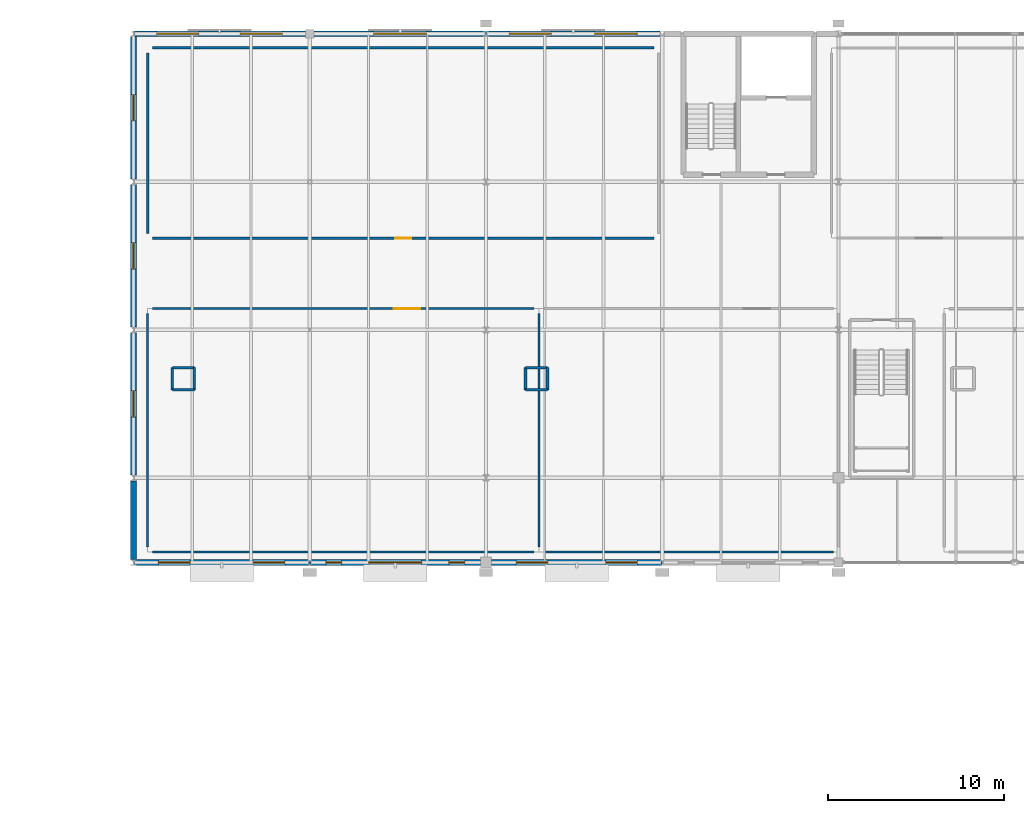
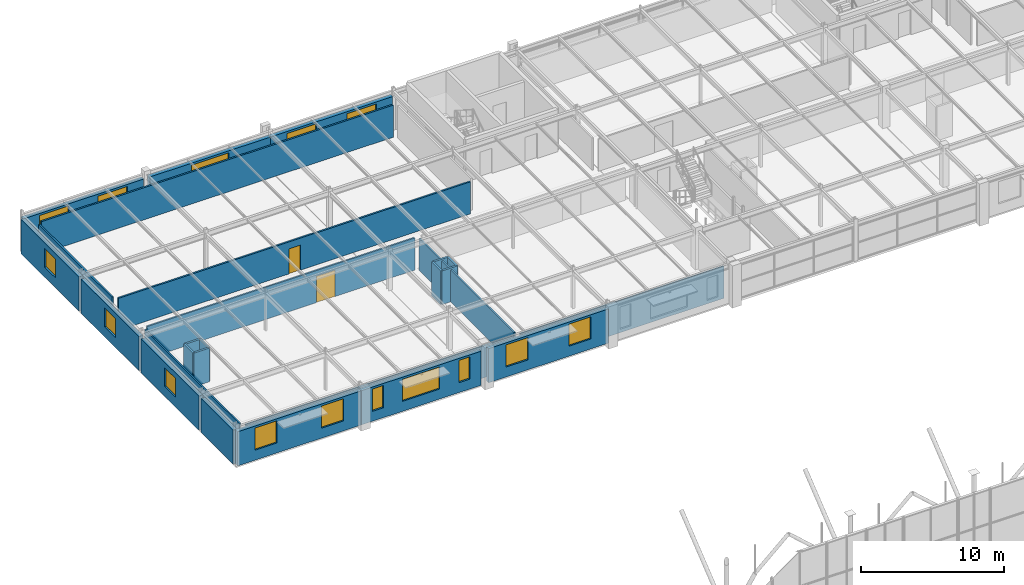
# One storey, part 99 of 109: 26 walls, 15 windows, 2 doors, 17 openings.
"""IFC4 building model written with IfcOpenShell, lengths in metres."""

from ifc_helpers import new_model, si_unit, derived_unit, direction, frame, frame_2d, origin, place, context, subcontext, project, spatial, rectangle, extrude, material, layer, layer_set, type_object, element, fill, save


model = new_model("IFC4")

# Units and contexts
model_context = context("Model", 3, precision=1e-05, world=origin(), true_north=direction((0.0, 1.0)))
body_context = subcontext(model_context, "Body", "Model", "MODEL_VIEW")
ifc_project = project(units=[si_unit("LENGTHUNIT", "METRE"), si_unit("AREAUNIT", "SQUARE_METRE"), si_unit("VOLUMEUNIT", "CUBIC_METRE"), si_unit("PLANEANGLEUNIT", "RADIAN"), si_unit("MASSUNIT", "GRAM", prefix="KILO"), derived_unit("THERMALTRANSMITTANCEUNIT", [(si_unit("POWERUNIT", "WATT"), 1), (si_unit("LENGTHUNIT", "METRE"), -2), (si_unit("THERMODYNAMICTEMPERATUREUNIT", "KELVIN"), -1)])], contexts=[model_context])

# Site, building, storey
site_placement = place(None, origin())
site = spatial("IfcSite", under=ifc_project, at=site_placement, CompositionType="ELEMENT")
building_placement = place(site_placement, origin())
building = spatial("IfcBuilding", under=site, at=building_placement, Name="Cinnabar Yard Market Hall", CompositionType="ELEMENT")
storey_placement = place(building_placement, frame((0.0, 0.0, 8.39990234375)))
storey = spatial("IfcBuildingStorey", under=building, at=storey_placement, Name="L02", CompositionType="ELEMENT", Elevation=8.39990234375)

# Walls
ifc_material_1 = material(Name="Acoustic steel-stud plasterboard", Category="steel")
ifc_layer_1 = layer(ifc_material_1, 0.1201171875)
ifc_layer_set_1 = layer_set([ifc_layer_1], Name="Acoustic steel-stud plasterboard")
wall_type_1 = type_object("IfcWallType", Name="WL-PT120", PredefinedType="PARTITIONING", material=ifc_layer_set_1)
wall_1_placement = place(storey_placement, frame((67.080078125, 108.60009765625, 0.0), z_axis=(0.0, 0.0, 1.0), x_axis=(1.0, 0.0, 0.0)))
element("IfcWall", 1, at=wall_1_placement, inside=storey, type_object=wall_type_1, Name="Partition Cooking School Teaching Kitchen 201 south", PredefinedType="PARTITIONING", context=body_context, shape_type="SweptSolid", body=[
    extrude(rectangle(XDim=21.639892578125, YDim=0.1201171875, at=frame_2d((10.81982421875, 0.0), x_axis=(1.0, 0.0))), origin(), (0.0, 0.0, 1.0), 2.739990234375),
])
wall_2_placement = place(storey_placement, frame((89.0, 108.8798828125, 0.0), z_axis=(0.0, 0.0, 1.0), x_axis=(0.0, 1.0, 0.0)))
element("IfcWall", 2, at=wall_2_placement, inside=storey, type_object=wall_type_1, Name="Partition Cooking School Teaching Kitchen 201 east", PredefinedType="PARTITIONING", context=body_context, shape_type="SweptSolid", body=[
    extrude(rectangle(XDim=13.240234375, YDim=0.1201171875, at=frame_2d((6.6201171875, 0.0), x_axis=(1.0, 0.0))), origin(), (0.0, 0.0, 1.0), 2.739990234375),
])

# Wall, opening, door
wall_3_placement = place(storey_placement, frame((88.719970703125, 122.39990234375, 0.0), z_axis=(0.0, 0.0, 1.0), x_axis=(-1.0, 0.0, 0.0)))
wall_3 = element("IfcWall", 3, at=wall_3_placement, inside=storey, type_object=wall_type_1, Name="Partition Cooking School Teaching Kitchen 201 north", PredefinedType="PARTITIONING", context=body_context, shape_type="SweptSolid", body=[
    extrude(rectangle(XDim=21.639892578125, YDim=0.1201171875, at=frame_2d((10.81982421875, 0.0), x_axis=(1.0, 0.0))), origin(), (0.0, 0.0, 1.0), 2.739990234375),
])
opening_1_placement = place(wall_3_placement, frame((6.44482421875, 0.0, 0.0)))
opening_1 = element("IfcOpeningElement", 4, at=opening_1_placement, cuts=wall_3, Name="Opening ID-169", PredefinedType="OPENING", context=body_context, shape_type="SweptSolid", body=[
    extrude(rectangle(XDim=1.5, YDim=2.25, at=frame_2d((0.75, 1.125), x_axis=(1.0, 0.0))), frame((0.0, 0.070068359375, 0.0), z_axis=(0.0, -1.0, 0.0), x_axis=(1.0, 0.0, 0.0)), (0.0, 0.0, 1.0), 0.14013671875),
])
ifc_material_2 = material(Name="Spotted gum timber and vision glass", Category="wood")
door_type_1 = type_object("IfcDoorType", Name="DR-D08", OperationType="NOTDEFINED", PredefinedType="DOOR", material=ifc_material_2)
door_1_placement = place(opening_1_placement, origin())
door_1 = element("IfcDoor", 5, at=door_1_placement, inside=storey, type_object=door_type_1, Name="Interior Door ID-169", OperationType="DOUBLE_SWING_RIGHT", OverallHeight=2.25, OverallWidth=1.5, PredefinedType="DOOR", context=body_context, shape_type="SweptSolid", body=[
    extrude(rectangle(XDim=1.5, YDim=2.25, at=frame_2d((0.75, 1.125), x_axis=(1.0, 0.0))), frame((0.0, 0.02490234375, 0.0), z_axis=(0.0, -1.0, 0.0), x_axis=(1.0, 0.0, 0.0)), (0.0, 0.0, 1.0), 0.050048828125),
])
fill(opening_1, door_1)

# Walls
wall_4_placement = place(storey_placement, frame((66.800048828125, 122.1201171875, 0.0), z_axis=(0.0, 0.0, 1.0), x_axis=(0.0, -1.0, 0.0)))
element("IfcWall", 6, at=wall_4_placement, inside=storey, type_object=wall_type_1, Name="Partition Cooking School Teaching Kitchen 201 west", PredefinedType="PARTITIONING", context=body_context, shape_type="SweptSolid", body=[
    extrude(rectangle(XDim=13.240234375, YDim=0.1201171875, at=frame_2d((6.6201171875, 0.0), x_axis=(1.0, 0.0))), origin(), (0.0, 0.0, 1.0), 2.739990234375),
])
wall_5_placement = place(storey_placement, frame((89.280029296875, 108.60009765625, 0.0), z_axis=(0.0, 0.0, 1.0), x_axis=(1.0, 0.0, 0.0)))
element("IfcWall", 7, at=wall_5_placement, inside=storey, type_object=wall_type_1, Name="Partition Cooking School Pastry and Baking Kitchen 202 south", PredefinedType="PARTITIONING", context=body_context, shape_type="SweptSolid", body=[
    extrude(rectangle(XDim=16.43994140625, YDim=0.1201171875, at=frame_2d((8.219970703125, 0.0), x_axis=(1.0, 0.0))), origin(), (0.0, 0.0, 1.0), 2.739990234375),
])

# Wall, opening, door
ifc_material_3 = material(Name="Moisture-resistant tiled service wall")
ifc_layer_2 = layer(ifc_material_3, 0.139892578125)
ifc_layer_set_2 = layer_set([ifc_layer_2], Name="Moisture-resistant tiled service wall")
wall_type_2 = type_object("IfcWallType", Name="WL-PT140", PredefinedType="PLUMBINGWALL", material=ifc_layer_set_2)
wall_6_placement = place(storey_placement, frame((67.080078125, 126.39990234375, 0.0), z_axis=(0.0, 0.0, 1.0), x_axis=(1.0, 0.0, 0.0)))
wall_6 = element("IfcWall", 8, at=wall_6_placement, inside=storey, type_object=wall_type_2, Name="Partition Teaching Scullery and Ingredient Larder south", PredefinedType="PLUMBINGWALL", context=body_context, shape_type="SweptSolid", body=[
    extrude(rectangle(XDim=28.43994140625, YDim=0.139892578125, at=frame_2d((14.219970703125, 0.0), x_axis=(1.0, 0.0))), origin(), (0.0, 0.0, 1.0), 2.739990234375),
])
opening_2_placement = place(wall_6_placement, frame((13.760009765625, 0.0, 0.0)))
opening_2 = element("IfcOpeningElement", 9, at=opening_2_placement, cuts=wall_6, Name="Opening ID-173", PredefinedType="OPENING", context=body_context, shape_type="SweptSolid", body=[
    extrude(rectangle(XDim=0.919921875, YDim=2.14990234375, at=frame_2d((0.4599609375, 1.074951171875), x_axis=(1.0, 0.0))), frame((0.0, 0.079833984375, 0.0), z_axis=(0.0, -1.0, 0.0), x_axis=(1.0, 0.0, 0.0)), (0.0, 0.0, 1.0), 0.159912109375),
])
ifc_material_4 = material(Name="Solid-core spotted gum timber", Category="wood")
door_type_2 = type_object("IfcDoorType", Name="DR-D07", OperationType="NOTDEFINED", PredefinedType="DOOR", material=ifc_material_4)
door_2_placement = place(opening_2_placement, origin())
door_2 = element("IfcDoor", 10, at=door_2_placement, inside=storey, type_object=door_type_2, Name="Interior Door ID-173", OperationType="SINGLE_SWING_RIGHT", OverallHeight=2.14990234375, OverallWidth=0.919921875, PredefinedType="DOOR", context=body_context, shape_type="SweptSolid", body=[
    extrude(rectangle(XDim=0.919921875, YDim=2.14990234375, at=frame_2d((0.4599609375, 1.074951171875), x_axis=(1.0, 0.0))), frame((0.0, 0.02490234375, 0.0), z_axis=(0.0, -1.0, 0.0), x_axis=(1.0, 0.0, 0.0)), (0.0, 0.0, 1.0), 0.050048828125),
])
fill(opening_2, door_2)

# Walls
wall_7_placement = place(storey_placement, frame((95.52001953125, 137.199951171875, 0.0), z_axis=(0.0, 0.0, 1.0), x_axis=(-1.0, 0.0, 0.0)))
element("IfcWall", 11, at=wall_7_placement, inside=storey, type_object=wall_type_2, Name="Partition Teaching Scullery and Ingredient Larder north", PredefinedType="PLUMBINGWALL", context=body_context, shape_type="SweptSolid", body=[
    extrude(rectangle(XDim=28.43994140625, YDim=0.139892578125, at=frame_2d((14.219970703125, 0.0), x_axis=(1.0, 0.0))), origin(), (0.0, 0.0, 1.0), 2.739990234375),
])
wall_8_placement = place(storey_placement, frame((66.800048828125, 136.919921875, 0.0), z_axis=(0.0, 0.0, 1.0), x_axis=(0.0, -1.0, 0.0)))
element("IfcWall", 12, at=wall_8_placement, inside=storey, type_object=wall_type_2, Name="Partition Teaching Scullery and Ingredient Larder west", PredefinedType="PLUMBINGWALL", context=body_context, shape_type="SweptSolid", body=[
    extrude(rectangle(XDim=10.239990234375, YDim=0.139892578125, at=frame_2d((5.1201171875, 0.0), x_axis=(1.0, 0.0))), origin(), (0.0, 0.0, 1.0), 2.739990234375),
])
ifc_material_5 = material(Name="Fire-rated steel-stud plasterboard", Category="steel")
ifc_layer_3 = layer(ifc_material_5, 0.14990234375)
ifc_layer_set_3 = layer_set([ifc_layer_3], Name="Fire-rated steel-stud plasterboard")
wall_type_3 = type_object("IfcWallType", Name="WL-PT150", PredefinedType="PARTITIONING", material=ifc_layer_set_3)
for number, where, z_axis, x_axis, name in (
    (13, (68.199951171875, 117.800048828125, 0.0), (0.0, 0.0, 1.0), (1.0, 0.0, 0.0), "Service Shaft Wall L02-1-1"),
    (14, (69.449951171875, 117.800048828125, 0.0), (0.0, 0.0, 1.0), (0.0, 1.0, 0.0), "Service Shaft Wall L02-1-2"),
    (15, (69.449951171875, 119.050048828125, 0.0), (0.0, 0.0, 1.0), (-1.0, 0.0, 0.0), "Service Shaft Wall L02-1-3"),
    (16, (68.199951171875, 119.050048828125, 0.0), (0.0, 0.0, 1.0), (0.0, -1.0, 0.0), "Service Shaft Wall L02-1-4"),
    (17, (88.239990234375, 117.800048828125, 0.0), (0.0, 0.0, 1.0), (1.0, 0.0, 0.0), "Service Shaft Wall L02-2-1"),
    (18, (89.489990234375, 117.800048828125, 0.0), (0.0, 0.0, 1.0), (0.0, 1.0, 0.0), "Service Shaft Wall L02-2-2"),
    (19, (89.489990234375, 119.050048828125, 0.0), (0.0, 0.0, 1.0), (-1.0, 0.0, 0.0), "Service Shaft Wall L02-2-3"),
    (20, (88.239990234375, 119.050048828125, 0.0), (0.0, 0.0, 1.0), (0.0, -1.0, 0.0), "Service Shaft Wall L02-2-4"),
):
    element("IfcWall", number, at=place(storey_placement, frame(where, z_axis=z_axis, x_axis=x_axis)), inside=storey, type_object=wall_type_3, Name=name, PredefinedType="PARTITIONING", context=body_context, shape_type="SweptSolid", body=[
        extrude(rectangle(XDim=1.25, YDim=0.14990234375, at=frame_2d((0.625, 0.0), x_axis=(1.0, 0.0))), origin(), (0.0, 0.0, 1.0), 2.880126953125),
    ])

# Wall, openings, windows
ifc_material_6 = material(Name="Cream limestone and Concrete 32 MPa", Category="masonry")
ifc_layer_4 = layer(ifc_material_6, 0.320068359375)
ifc_layer_set_4 = layer_set([ifc_layer_4], Name="Cream limestone and Concrete 32 MPa")
wall_type_4 = type_object("IfcWallType", Name="WL-W-EXT2", PredefinedType="SOLIDWALL", material=ifc_layer_set_4)
wall_9_placement = place(storey_placement, frame((66.01171875, 108.0, 0.0), z_axis=(0.0, 0.0, 1.0), x_axis=(1.0, 0.0, 0.0)))
wall_9 = element("IfcWall", 21, at=wall_9_placement, inside=storey, type_object=wall_type_4, Name="Wing South Wall L02 Bay 1", PredefinedType="SOLIDWALL", context=body_context, shape_type="SweptSolid", body=[
    extrude(rectangle(XDim=9.978271484375, YDim=0.320068359375, at=frame_2d((4.9892578125, 0.0), x_axis=(1.0, 0.0))), origin(), (0.0, 0.0, 1.0), 2.920166015625),
])
opening_3_placement = place(wall_9_placement, frame((1.39990234375, 0.0, 0.85009765625)))
opening_3 = element("IfcOpeningElement", 22, at=opening_3_placement, cuts=wall_9, Name="Opening W07", PredefinedType="OPENING", context=body_context, shape_type="SweptSolid", body=[
    extrude(rectangle(XDim=1.800048828125, YDim=1.89990234375, at=frame_2d((0.89990234375, 0.949951171875), x_axis=(1.0, 0.0))), frame((0.0, 0.169921875, 0.0), z_axis=(0.0, -1.0, 0.0), x_axis=(1.0, 0.0, 0.0)), (0.0, 0.0, 1.0), 0.340087890625),
])
opening_4_placement = place(wall_9_placement, frame((6.7783203125, 0.0, 0.85009765625)))
opening_4 = element("IfcOpeningElement", 23, at=opening_4_placement, cuts=wall_9, Name="Opening W07", PredefinedType="OPENING", context=body_context, shape_type="SweptSolid", body=[
    extrude(rectangle(XDim=1.800048828125, YDim=1.89990234375, at=frame_2d((0.89990234375, 0.949951171875), x_axis=(1.0, 0.0))), frame((0.0, 0.169921875, 0.0), z_axis=(0.0, -1.0, 0.0), x_axis=(1.0, 0.0, 0.0)), (0.0, 0.0, 1.0), 0.340087890625),
])
ifc_material_7 = material(Name="Low-E double glazing in bronze aluminium", Category="aluminium")
window_type_1 = type_object("IfcWindowType", Name="WN-W07", PartitioningType="SINGLE_PANEL", PredefinedType="WINDOW", material=ifc_material_7)
window_1_placement = place(opening_3_placement, origin())
window_1 = element("IfcWindow", 24, at=window_1_placement, inside=storey, type_object=window_type_1, Name="Window WN-V3S-L02-1A", OverallHeight=1.89990234375, OverallWidth=1.800048828125, PartitioningType="SINGLE_PANEL", PredefinedType="WINDOW", context=body_context, shape_type="SweptSolid", body=[
    extrude(rectangle(XDim=1.800048828125, YDim=1.89990234375, at=frame_2d((0.89990234375, 0.949951171875), x_axis=(1.0, 0.0))), frame((0.0, 0.030029296875, 0.0), z_axis=(0.0, -1.0, 0.0), x_axis=(1.0, 0.0, 0.0)), (0.0, 0.0, 1.0), 0.06005859375),
])
fill(opening_3, window_1)
window_2_placement = place(opening_4_placement, origin())
window_2 = element("IfcWindow", 25, at=window_2_placement, inside=storey, type_object=window_type_1, Name="Window WN-V3S-L02-1B", OverallHeight=1.89990234375, OverallWidth=1.800048828125, PartitioningType="SINGLE_PANEL", PredefinedType="WINDOW", context=body_context, shape_type="SweptSolid", body=[
    extrude(rectangle(XDim=1.800048828125, YDim=1.89990234375, at=frame_2d((0.89990234375, 0.949951171875), x_axis=(1.0, 0.0))), frame((0.0, 0.030029296875, 0.0), z_axis=(0.0, -1.0, 0.0), x_axis=(1.0, 0.0, 0.0)), (0.0, 0.0, 1.0), 0.06005859375),
])
fill(opening_4, window_2)

wall_10_placement = place(storey_placement, frame((75.74609375, 138.0, 0.0), z_axis=(0.0, 0.0, 1.0), x_axis=(-1.0, 0.0, 0.0)))
wall_10 = element("IfcWall", 26, at=wall_10_placement, inside=storey, type_object=wall_type_4, Name="Wing North Wall L02 Bay 1", PredefinedType="SOLIDWALL", context=body_context, shape_type="SweptSolid", body=[
    extrude(rectangle(XDim=9.736083984375, YDim=0.320068359375, at=frame_2d((4.8681640625, 0.0), x_axis=(1.0, 0.0))), origin(), (0.0, 0.0, 1.0), 2.920166015625),
])
opening_5_placement = place(wall_10_placement, frame((1.300048828125, 0.0, 0.85009765625)))
opening_5 = element("IfcOpeningElement", 27, at=opening_5_placement, cuts=wall_10, Name="Opening W08", PredefinedType="OPENING", context=body_context, shape_type="SweptSolid", body=[
    extrude(rectangle(XDim=2.39990234375, YDim=1.89990234375, at=frame_2d((1.199951171875, 0.949951171875), x_axis=(1.0, 0.0))), frame((0.0, 0.169921875, 0.0), z_axis=(0.0, -1.0, 0.0), x_axis=(1.0, 0.0, 0.0)), (0.0, 0.0, 1.0), 0.340087890625),
])
opening_6_placement = place(wall_10_placement, frame((6.035888671875, 0.0, 0.85009765625)))
opening_6 = element("IfcOpeningElement", 28, at=opening_6_placement, cuts=wall_10, Name="Opening W08", PredefinedType="OPENING", context=body_context, shape_type="SweptSolid", body=[
    extrude(rectangle(XDim=2.39990234375, YDim=1.89990234375, at=frame_2d((1.199951171875, 0.949951171875), x_axis=(1.0, 0.0))), frame((0.0, 0.169921875, 0.0), z_axis=(0.0, -1.0, 0.0), x_axis=(1.0, 0.0, 0.0)), (0.0, 0.0, 1.0), 0.340087890625),
])
window_type_2 = type_object("IfcWindowType", Name="WN-W08", PartitioningType="SINGLE_PANEL", PredefinedType="WINDOW", material=ifc_material_7)
window_3_placement = place(opening_5_placement, origin())
window_3 = element("IfcWindow", 29, at=window_3_placement, inside=storey, type_object=window_type_2, Name="Window WN-V3N-L02-1A", OverallHeight=1.89990234375, OverallWidth=2.39990234375, PartitioningType="SINGLE_PANEL", PredefinedType="WINDOW", context=body_context, shape_type="SweptSolid", body=[
    extrude(rectangle(XDim=2.39990234375, YDim=1.89990234375, at=frame_2d((1.199951171875, 0.949951171875), x_axis=(1.0, 0.0))), frame((0.0, 0.030029296875, 0.0), z_axis=(0.0, -1.0, 0.0), x_axis=(1.0, 0.0, 0.0)), (0.0, 0.0, 1.0), 0.06005859375),
])
fill(opening_5, window_3)
window_4_placement = place(opening_6_placement, origin())
window_4 = element("IfcWindow", 30, at=window_4_placement, inside=storey, type_object=window_type_2, Name="Window WN-V3N-L02-1B", OverallHeight=1.89990234375, OverallWidth=2.39990234375, PartitioningType="SINGLE_PANEL", PredefinedType="WINDOW", context=body_context, shape_type="SweptSolid", body=[
    extrude(rectangle(XDim=2.39990234375, YDim=1.89990234375, at=frame_2d((1.199951171875, 0.949951171875), x_axis=(1.0, 0.0))), frame((0.0, 0.030029296875, 0.0), z_axis=(0.0, -1.0, 0.0), x_axis=(1.0, 0.0, 0.0)), (0.0, 0.0, 1.0), 0.06005859375),
])
fill(opening_6, window_4)

wall_11_placement = place(storey_placement, frame((76.010009765625, 108.0, 0.0), z_axis=(0.0, 0.0, 1.0), x_axis=(1.0, 0.0, 0.0)))
wall_11 = element("IfcWall", 31, at=wall_11_placement, inside=storey, type_object=wall_type_4, Name="Wing South Wall L02 Bay 2", PredefinedType="SOLIDWALL", context=body_context, shape_type="SweptSolid", body=[
    extrude(rectangle(XDim=9.68603515625, YDim=0.320068359375, at=frame_2d((4.843017578125, 0.0), x_axis=(1.0, 0.0))), origin(), (0.0, 0.0, 1.0), 2.920166015625),
])
opening_7_placement = place(wall_11_placement, frame((3.343017578125, 0.0, 0.85009765625)))
opening_7 = element("IfcOpeningElement", 32, at=opening_7_placement, cuts=wall_11, Name="Opening W09", PredefinedType="OPENING", context=body_context, shape_type="SweptSolid", body=[
    extrude(rectangle(XDim=3.0, YDim=1.89990234375, at=frame_2d((1.5, 0.949951171875), x_axis=(1.0, 0.0))), frame((0.0, 0.169921875, 0.0), z_axis=(0.0, -1.0, 0.0), x_axis=(1.0, 0.0, 0.0)), (0.0, 0.0, 1.0), 0.340087890625),
])
opening_8_placement = place(wall_11_placement, frame((0.89990234375, 0.0, 0.85009765625)))
opening_8 = element("IfcOpeningElement", 33, at=opening_8_placement, cuts=wall_11, Name="Opening W10", PredefinedType="OPENING", context=body_context, shape_type="SweptSolid", body=[
    extrude(rectangle(XDim=0.89990234375, YDim=1.89990234375, at=frame_2d((0.449951171875, 0.949951171875), x_axis=(1.0, 0.0))), frame((0.0, 0.169921875, 0.0), z_axis=(0.0, -1.0, 0.0), x_axis=(1.0, 0.0, 0.0)), (0.0, 0.0, 1.0), 0.340087890625),
])
opening_9_placement = place(wall_11_placement, frame((7.885986328125, 0.0, 0.85009765625)))
opening_9 = element("IfcOpeningElement", 34, at=opening_9_placement, cuts=wall_11, Name="Opening W10", PredefinedType="OPENING", context=body_context, shape_type="SweptSolid", body=[
    extrude(rectangle(XDim=0.89990234375, YDim=1.89990234375, at=frame_2d((0.449951171875, 0.949951171875), x_axis=(1.0, 0.0))), frame((0.0, 0.169921875, 0.0), z_axis=(0.0, -1.0, 0.0), x_axis=(1.0, 0.0, 0.0)), (0.0, 0.0, 1.0), 0.340087890625),
])
ifc_material_8 = material(Name="Solar-control double glazing in bronze aluminium", Category="aluminium")
window_type_3 = type_object("IfcWindowType", Name="WN-W09", PartitioningType="SINGLE_PANEL", PredefinedType="WINDOW", material=ifc_material_8)
window_5_placement = place(opening_7_placement, origin())
window_5 = element("IfcWindow", 35, at=window_5_placement, inside=storey, type_object=window_type_3, Name="Window WN-V3S-L02-2M", OverallHeight=1.89990234375, OverallWidth=3.0, PartitioningType="SINGLE_PANEL", PredefinedType="WINDOW", context=body_context, shape_type="SweptSolid", body=[
    extrude(rectangle(XDim=3.0, YDim=1.89990234375, at=frame_2d((1.5, 0.949951171875), x_axis=(1.0, 0.0))), frame((0.0, 0.030029296875, 0.0), z_axis=(0.0, -1.0, 0.0), x_axis=(1.0, 0.0, 0.0)), (0.0, 0.0, 1.0), 0.06005859375),
])
fill(opening_7, window_5)
ifc_material_9 = material(Name="Narrow Mughal lancet glazing in bronze aluminium", Category="aluminium")
window_type_4 = type_object("IfcWindowType", Name="WN-W10", PartitioningType="SINGLE_PANEL", PredefinedType="WINDOW", material=ifc_material_9)
window_6_placement = place(opening_8_placement, origin())
window_6 = element("IfcWindow", 36, at=window_6_placement, inside=storey, type_object=window_type_4, Name="Window WN-V3S-L02-2L", OverallHeight=1.89990234375, OverallWidth=0.89990234375, PartitioningType="SINGLE_PANEL", PredefinedType="WINDOW", context=body_context, shape_type="SweptSolid", body=[
    extrude(rectangle(XDim=0.89990234375, YDim=1.89990234375, at=frame_2d((0.449951171875, 0.949951171875), x_axis=(1.0, 0.0))), frame((0.0, 0.030029296875, 0.0), z_axis=(0.0, -1.0, 0.0), x_axis=(1.0, 0.0, 0.0)), (0.0, 0.0, 1.0), 0.06005859375),
])
fill(opening_8, window_6)
window_7_placement = place(opening_9_placement, origin())
window_7 = element("IfcWindow", 37, at=window_7_placement, inside=storey, type_object=window_type_4, Name="Window WN-V3S-L02-2R", OverallHeight=1.89990234375, OverallWidth=0.89990234375, PartitioningType="SINGLE_PANEL", PredefinedType="WINDOW", context=body_context, shape_type="SweptSolid", body=[
    extrude(rectangle(XDim=0.89990234375, YDim=1.89990234375, at=frame_2d((0.449951171875, 0.949951171875), x_axis=(1.0, 0.0))), frame((0.0, 0.030029296875, 0.0), z_axis=(0.0, -1.0, 0.0), x_axis=(1.0, 0.0, 0.0)), (0.0, 0.0, 1.0), 0.06005859375),
])
fill(opening_9, window_7)

# Wall, opening, window
wall_12_placement = place(storey_placement, frame((85.989990234375, 138.0, 0.0), z_axis=(0.0, 0.0, 1.0), x_axis=(-1.0, 0.0, 0.0)))
wall_12 = element("IfcWall", 38, at=wall_12_placement, inside=storey, type_object=wall_type_4, Name="Wing North Wall L02 Bay 2", PredefinedType="SOLIDWALL", context=body_context, shape_type="SweptSolid", body=[
    extrude(rectangle(XDim=9.736083984375, YDim=0.320068359375, at=frame_2d((4.8681640625, 0.0), x_axis=(1.0, 0.0))), origin(), (0.0, 0.0, 1.0), 2.920166015625),
])
opening_10_placement = place(wall_12_placement, frame((3.367919921875, 0.0, 0.85009765625)))
opening_10 = element("IfcOpeningElement", 39, at=opening_10_placement, cuts=wall_12, Name="Opening W09", PredefinedType="OPENING", context=body_context, shape_type="SweptSolid", body=[
    extrude(rectangle(XDim=3.0, YDim=1.89990234375, at=frame_2d((1.5, 0.949951171875), x_axis=(1.0, 0.0))), frame((0.0, 0.169921875, 0.0), z_axis=(0.0, -1.0, 0.0), x_axis=(1.0, 0.0, 0.0)), (0.0, 0.0, 1.0), 0.340087890625),
])
window_8_placement = place(opening_10_placement, origin())
window_8 = element("IfcWindow", 40, at=window_8_placement, inside=storey, type_object=window_type_3, Name="Window WN-V3N-L02-2M", OverallHeight=1.89990234375, OverallWidth=3.0, PartitioningType="SINGLE_PANEL", PredefinedType="WINDOW", context=body_context, shape_type="SweptSolid", body=[
    extrude(rectangle(XDim=3.0, YDim=1.89990234375, at=frame_2d((1.5, 0.949951171875), x_axis=(1.0, 0.0))), frame((0.0, 0.030029296875, 0.0), z_axis=(0.0, -1.0, 0.0), x_axis=(1.0, 0.0, 0.0)), (0.0, 0.0, 1.0), 0.06005859375),
])
fill(opening_10, window_8)

# Wall, openings, windows
wall_13_placement = place(storey_placement, frame((86.303955078125, 108.0, 0.0), z_axis=(0.0, 0.0, 1.0), x_axis=(1.0, 0.0, 0.0)))
wall_13 = element("IfcWall", 41, at=wall_13_placement, inside=storey, type_object=wall_type_4, Name="Wing South Wall L02 Bay 3", PredefinedType="SOLIDWALL", context=body_context, shape_type="SweptSolid", body=[
    extrude(rectangle(XDim=9.68603515625, YDim=0.320068359375, at=frame_2d((4.843017578125, 0.0), x_axis=(1.0, 0.0))), origin(), (0.0, 0.0, 1.0), 2.920166015625),
])
opening_11_placement = place(wall_13_placement, frame((1.39990234375, 0.0, 0.85009765625)))
opening_11 = element("IfcOpeningElement", 42, at=opening_11_placement, cuts=wall_13, Name="Opening W07", PredefinedType="OPENING", context=body_context, shape_type="SweptSolid", body=[
    extrude(rectangle(XDim=1.800048828125, YDim=1.89990234375, at=frame_2d((0.89990234375, 0.949951171875), x_axis=(1.0, 0.0))), frame((0.0, 0.169921875, 0.0), z_axis=(0.0, -1.0, 0.0), x_axis=(1.0, 0.0, 0.0)), (0.0, 0.0, 1.0), 0.340087890625),
])
opening_12_placement = place(wall_13_placement, frame((6.486083984375, 0.0, 0.85009765625)))
opening_12 = element("IfcOpeningElement", 43, at=opening_12_placement, cuts=wall_13, Name="Opening W07", PredefinedType="OPENING", context=body_context, shape_type="SweptSolid", body=[
    extrude(rectangle(XDim=1.800048828125, YDim=1.89990234375, at=frame_2d((0.89990234375, 0.949951171875), x_axis=(1.0, 0.0))), frame((0.0, 0.169921875, 0.0), z_axis=(0.0, -1.0, 0.0), x_axis=(1.0, 0.0, 0.0)), (0.0, 0.0, 1.0), 0.340087890625),
])
window_9_placement = place(opening_11_placement, origin())
window_9 = element("IfcWindow", 44, at=window_9_placement, inside=storey, type_object=window_type_1, Name="Window WN-V3S-L02-3A", OverallHeight=1.89990234375, OverallWidth=1.800048828125, PartitioningType="SINGLE_PANEL", PredefinedType="WINDOW", context=body_context, shape_type="SweptSolid", body=[
    extrude(rectangle(XDim=1.800048828125, YDim=1.89990234375, at=frame_2d((0.89990234375, 0.949951171875), x_axis=(1.0, 0.0))), frame((0.0, 0.030029296875, 0.0), z_axis=(0.0, -1.0, 0.0), x_axis=(1.0, 0.0, 0.0)), (0.0, 0.0, 1.0), 0.06005859375),
])
fill(opening_11, window_9)
window_10_placement = place(opening_12_placement, origin())
window_10 = element("IfcWindow", 45, at=window_10_placement, inside=storey, type_object=window_type_1, Name="Window WN-V3S-L02-3B", OverallHeight=1.89990234375, OverallWidth=1.800048828125, PartitioningType="SINGLE_PANEL", PredefinedType="WINDOW", context=body_context, shape_type="SweptSolid", body=[
    extrude(rectangle(XDim=1.800048828125, YDim=1.89990234375, at=frame_2d((0.89990234375, 0.949951171875), x_axis=(1.0, 0.0))), frame((0.0, 0.030029296875, 0.0), z_axis=(0.0, -1.0, 0.0), x_axis=(1.0, 0.0, 0.0)), (0.0, 0.0, 1.0), 0.06005859375),
])
fill(opening_12, window_10)

wall_14_placement = place(storey_placement, frame((95.869384765625, 138.0, 0.0), z_axis=(0.0, 0.0, 1.0), x_axis=(-1.0, 0.0, 0.0)))
wall_14 = element("IfcWall", 46, at=wall_14_placement, inside=storey, type_object=wall_type_4, Name="Wing North Wall L02 Bay 3", PredefinedType="SOLIDWALL", context=body_context, shape_type="SweptSolid", body=[
    extrude(rectangle(XDim=9.859375, YDim=0.320068359375, at=frame_2d((4.9296875, 0.0), x_axis=(1.0, 0.0))), origin(), (0.0, 0.0, 1.0), 2.920166015625),
])
opening_13_placement = place(wall_14_placement, frame((1.300048828125, 0.0, 0.85009765625)))
opening_13 = element("IfcOpeningElement", 47, at=opening_13_placement, cuts=wall_14, Name="Opening W08", PredefinedType="OPENING", context=body_context, shape_type="SweptSolid", body=[
    extrude(rectangle(XDim=2.39990234375, YDim=1.89990234375, at=frame_2d((1.199951171875, 0.949951171875), x_axis=(1.0, 0.0))), frame((0.0, 0.169921875, 0.0), z_axis=(0.0, -1.0, 0.0), x_axis=(1.0, 0.0, 0.0)), (0.0, 0.0, 1.0), 0.340087890625),
])
opening_14_placement = place(wall_14_placement, frame((6.159423828125, 0.0, 0.85009765625)))
opening_14 = element("IfcOpeningElement", 48, at=opening_14_placement, cuts=wall_14, Name="Opening W08", PredefinedType="OPENING", context=body_context, shape_type="SweptSolid", body=[
    extrude(rectangle(XDim=2.39990234375, YDim=1.89990234375, at=frame_2d((1.199951171875, 0.949951171875), x_axis=(1.0, 0.0))), frame((0.0, 0.169921875, 0.0), z_axis=(0.0, -1.0, 0.0), x_axis=(1.0, 0.0, 0.0)), (0.0, 0.0, 1.0), 0.340087890625),
])
window_11_placement = place(opening_13_placement, origin())
window_11 = element("IfcWindow", 49, at=window_11_placement, inside=storey, type_object=window_type_2, Name="Window WN-V3N-L02-3A", OverallHeight=1.89990234375, OverallWidth=2.39990234375, PartitioningType="SINGLE_PANEL", PredefinedType="WINDOW", context=body_context, shape_type="SweptSolid", body=[
    extrude(rectangle(XDim=2.39990234375, YDim=1.89990234375, at=frame_2d((1.199951171875, 0.949951171875), x_axis=(1.0, 0.0))), frame((0.0, 0.030029296875, 0.0), z_axis=(0.0, -1.0, 0.0), x_axis=(1.0, 0.0, 0.0)), (0.0, 0.0, 1.0), 0.06005859375),
])
fill(opening_13, window_11)
window_12_placement = place(opening_14_placement, origin())
window_12 = element("IfcWindow", 50, at=window_12_placement, inside=storey, type_object=window_type_2, Name="Window WN-V3N-L02-3B", OverallHeight=1.89990234375, OverallWidth=2.39990234375, PartitioningType="SINGLE_PANEL", PredefinedType="WINDOW", context=body_context, shape_type="SweptSolid", body=[
    extrude(rectangle(XDim=2.39990234375, YDim=1.89990234375, at=frame_2d((1.199951171875, 0.949951171875), x_axis=(1.0, 0.0))), frame((0.0, 0.030029296875, 0.0), z_axis=(0.0, -1.0, 0.0), x_axis=(1.0, 0.0, 0.0)), (0.0, 0.0, 1.0), 0.06005859375),
])
fill(opening_14, window_12)

# Wall
wall_15_placement = place(storey_placement, frame((66.0, 112.6357421875, 0.0), z_axis=(0.0, 0.0, 1.0), x_axis=(0.0, -1.0, 0.0)))
element("IfcWall", 51, at=wall_15_placement, inside=storey, type_object=wall_type_4, Name="Wing West End Wall L02 Seg 1", PredefinedType="SOLIDWALL", context=body_context, shape_type="SweptSolid", body=[
    extrude(rectangle(XDim=4.46826171875, YDim=0.320068359375, at=frame_2d((2.234130859375, 0.0), x_axis=(1.0, 0.0))), origin(), (0.0, 0.0, 1.0), 2.920166015625),
])

# Wall, opening, window
wall_16_placement = place(storey_placement, frame((66.0, 121.038818359375, 0.0), z_axis=(0.0, 0.0, 1.0), x_axis=(0.0, -1.0, 0.0)))
wall_16 = element("IfcWall", 52, at=wall_16_placement, inside=storey, type_object=wall_type_4, Name="Wing West End Wall L02 Seg 2", PredefinedType="SOLIDWALL", context=body_context, shape_type="SweptSolid", body=[
    extrude(rectangle(XDim=8.074462890625, YDim=0.320068359375, at=frame_2d((4.037109375, 0.0), x_axis=(1.0, 0.0))), origin(), (0.0, 0.0, 1.0), 2.920166015625),
])
opening_15_placement = place(wall_16_placement, frame((3.287109375, 0.0, 0.85009765625)))
opening_15 = element("IfcOpeningElement", 53, at=opening_15_placement, cuts=wall_16, Name="Opening W03", PredefinedType="OPENING", context=body_context, shape_type="SweptSolid", body=[
    extrude(rectangle(XDim=1.5, YDim=1.60009765625, at=frame_2d((0.75, 0.800048828125), x_axis=(1.0, 0.0))), frame((0.0, 0.169921875, 0.0), z_axis=(0.0, -1.0, 0.0), x_axis=(1.0, 0.0, 0.0)), (0.0, 0.0, 1.0), 0.340087890625),
])
window_type_5 = type_object("IfcWindowType", Name="WN-W03", PartitioningType="SINGLE_PANEL", PredefinedType="WINDOW", material=ifc_material_7)
window_13_placement = place(opening_15_placement, origin())
window_13 = element("IfcWindow", 54, at=window_13_placement, inside=storey, type_object=window_type_5, Name="Window WN-V3W-L02-2", OverallHeight=1.60009765625, OverallWidth=1.5, PartitioningType="SINGLE_PANEL", PredefinedType="WINDOW", context=body_context, shape_type="SweptSolid", body=[
    extrude(rectangle(XDim=1.5, YDim=1.60009765625, at=frame_2d((0.75, 0.800048828125), x_axis=(1.0, 0.0))), frame((0.0, 0.030029296875, 0.0), z_axis=(0.0, -1.0, 0.0), x_axis=(1.0, 0.0, 0.0)), (0.0, 0.0, 1.0), 0.06005859375),
])
fill(opening_15, window_13)

wall_17_placement = place(storey_placement, frame((66.0, 129.44189453125, 0.0), z_axis=(0.0, 0.0, 1.0), x_axis=(0.0, -1.0, 0.0)))
wall_17 = element("IfcWall", 55, at=wall_17_placement, inside=storey, type_object=wall_type_4, Name="Wing West End Wall L02 Seg 3", PredefinedType="SOLIDWALL", context=body_context, shape_type="SweptSolid", body=[
    extrude(rectangle(XDim=8.08056640625, YDim=0.320068359375, at=frame_2d((4.040283203125, 0.0), x_axis=(1.0, 0.0))), origin(), (0.0, 0.0, 1.0), 2.920166015625),
])
opening_16_placement = place(wall_17_placement, frame((3.290283203125, 0.0, 0.85009765625)))
opening_16 = element("IfcOpeningElement", 56, at=opening_16_placement, cuts=wall_17, Name="Opening W03", PredefinedType="OPENING", context=body_context, shape_type="SweptSolid", body=[
    extrude(rectangle(XDim=1.5, YDim=1.60009765625, at=frame_2d((0.75, 0.800048828125), x_axis=(1.0, 0.0))), frame((0.0, 0.169921875, 0.0), z_axis=(0.0, -1.0, 0.0), x_axis=(1.0, 0.0, 0.0)), (0.0, 0.0, 1.0), 0.340087890625),
])
window_14_placement = place(opening_16_placement, origin())
window_14 = element("IfcWindow", 57, at=window_14_placement, inside=storey, type_object=window_type_5, Name="Window WN-V3W-L02-3", OverallHeight=1.60009765625, OverallWidth=1.5, PartitioningType="SINGLE_PANEL", PredefinedType="WINDOW", context=body_context, shape_type="SweptSolid", body=[
    extrude(rectangle(XDim=1.5, YDim=1.60009765625, at=frame_2d((0.75, 0.800048828125), x_axis=(1.0, 0.0))), frame((0.0, 0.030029296875, 0.0), z_axis=(0.0, -1.0, 0.0), x_axis=(1.0, 0.0, 0.0)), (0.0, 0.0, 1.0), 0.06005859375),
])
fill(opening_16, window_14)

wall_18_placement = place(storey_placement, frame((66.0, 137.844970703125, 0.0), z_axis=(0.0, 0.0, 1.0), x_axis=(0.0, -1.0, 0.0)))
wall_18 = element("IfcWall", 58, at=wall_18_placement, inside=storey, type_object=wall_type_4, Name="Wing West End Wall L02 Seg 4", PredefinedType="SOLIDWALL", context=body_context, shape_type="SweptSolid", body=[
    extrude(rectangle(XDim=8.0869140625, YDim=0.320068359375, at=frame_2d((4.04345703125, 0.0), x_axis=(1.0, 0.0))), origin(), (0.0, 0.0, 1.0), 2.920166015625),
])
opening_17_placement = place(wall_18_placement, frame((3.29345703125, 0.0, 0.85009765625)))
opening_17 = element("IfcOpeningElement", 59, at=opening_17_placement, cuts=wall_18, Name="Opening W03", PredefinedType="OPENING", context=body_context, shape_type="SweptSolid", body=[
    extrude(rectangle(XDim=1.5, YDim=1.60009765625, at=frame_2d((0.75, 0.800048828125), x_axis=(1.0, 0.0))), frame((0.0, 0.169921875, 0.0), z_axis=(0.0, -1.0, 0.0), x_axis=(1.0, 0.0, 0.0)), (0.0, 0.0, 1.0), 0.340087890625),
])
window_15_placement = place(opening_17_placement, origin())
window_15 = element("IfcWindow", 60, at=window_15_placement, inside=storey, type_object=window_type_5, Name="Window WN-V3W-L02-4", OverallHeight=1.60009765625, OverallWidth=1.5, PartitioningType="SINGLE_PANEL", PredefinedType="WINDOW", context=body_context, shape_type="SweptSolid", body=[
    extrude(rectangle(XDim=1.5, YDim=1.60009765625, at=frame_2d((0.75, 0.800048828125), x_axis=(1.0, 0.0))), frame((0.0, 0.030029296875, 0.0), z_axis=(0.0, -1.0, 0.0), x_axis=(1.0, 0.0, 0.0)), (0.0, 0.0, 1.0), 0.06005859375),
])
fill(opening_17, window_15)

save(model, "model.ifc")
